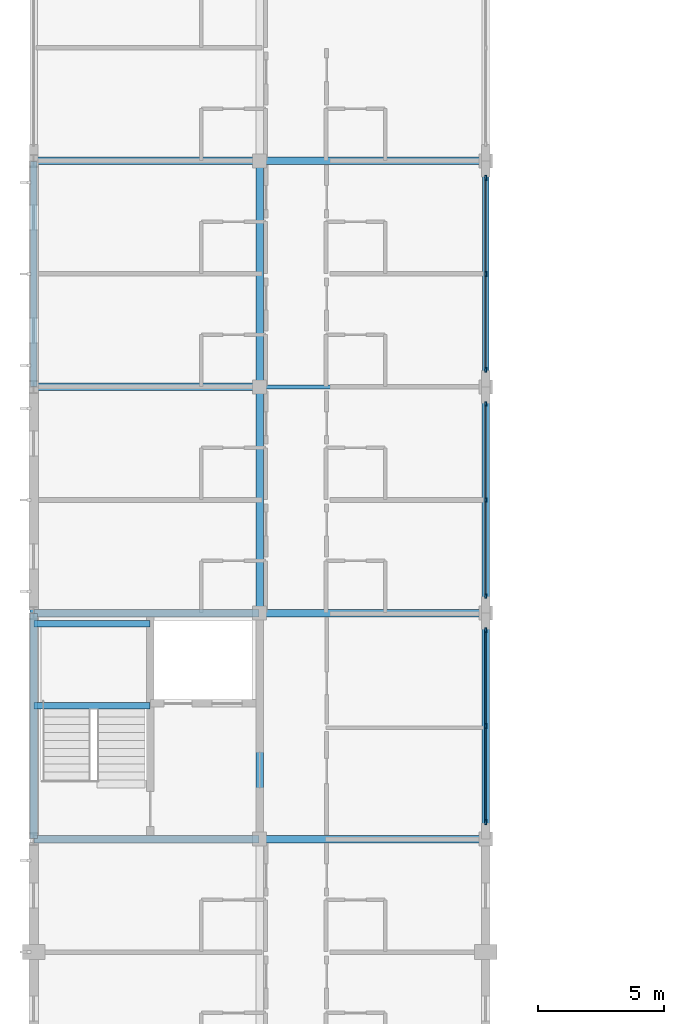
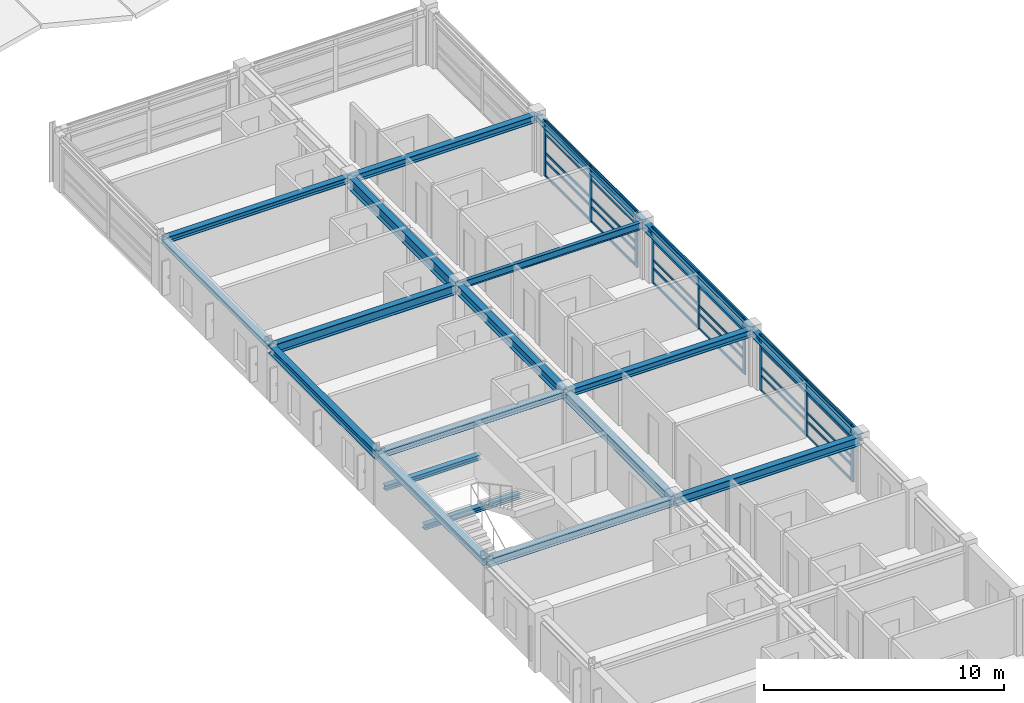
# One storey, part 10 of 37: 39 members, 19 beams, 3 elements without a shape of their own.
"""IFC4 building model written with IfcOpenShell, lengths in metres."""

from ifc_helpers import new_model, si_unit, direction, frame, origin, origin_2d, place, context, subcontext, project, spatial, rectangle, i_section, extrude, material, material_profile, profile_set, type_object, element, aggregate, save


model = new_model("IFC4")

# Units and contexts
model_context = context("Model", 3, precision=1e-05, world=origin(), true_north=direction((0.0, 1.0)))
body_context = subcontext(model_context, "Body", "Model", "MODEL_VIEW")
ifc_project = project(units=[si_unit("LENGTHUNIT", "METRE"), si_unit("AREAUNIT", "SQUARE_METRE"), si_unit("VOLUMEUNIT", "CUBIC_METRE"), si_unit("PLANEANGLEUNIT", "RADIAN"), si_unit("MASSUNIT", "GRAM", prefix="KILO")], contexts=[model_context])

# Site, building, storey
site_placement = place(None, origin())
site = spatial("IfcSite", under=ifc_project, at=site_placement, CompositionType="ELEMENT")
building_placement = place(site_placement, origin())
building = spatial("IfcBuilding", under=site, at=building_placement, Name="Palais des Congres Ocreval", CompositionType="ELEMENT")
storey_placement = place(building_placement, frame((0.0, 0.0, 11.52001953125)))
storey = spatial("IfcBuildingStorey", under=building, at=storey_placement, Name="L03", CompositionType="ELEMENT", Elevation=11.52001953125)

# Beam
ifc_material_1 = material(Name="Steel S355", Category="steel")
ifc_material_profile_1 = material_profile(ifc_material_1, i_section(OverallWidth=0.169921875, OverallDepth=0.360107421875, WebThickness=0.008056640625, FlangeThickness=0.0126953125, at=origin_2d()), Name="IPE 360")
ifc_profile_set_1 = profile_set([ifc_material_profile_1], Name="Steel S355")
beam_type_1 = type_object("IfcBeamType", Name="Composite Beam IPE 360 Steel S355", PredefinedType="BEAM", material=ifc_profile_set_1)
beam_1_placement = place(storey_placement, frame((9.02001953125, 54.0, 2.60009765625), z_axis=(1.0, 0.0, 0.0), x_axis=(0.0, 1.0, 0.0)))
element("IfcBeam", 1, at=beam_1_placement, inside=storey, type_object=beam_type_1, Name="Beam B01 L03", PredefinedType="BEAM", context=body_context, shape_type="SweptSolid", body=[
    extrude(i_section(OverallWidth=0.169921875, OverallDepth=0.360107421875, WebThickness=0.008056640625, FlangeThickness=0.0126953125, at=origin_2d()), origin(), (0.0, 0.0, 1.0), 8.9599609375),
])

# Curtain wall, members
ifc_material_2 = material(Name="Anodized bronze aluminium and low-E glass", Category="glass")
curtain_wall_type = type_object("IfcCurtainWallType", Name="Unitised Curtain Wall 7900x2820", PredefinedType="USERDEFINED", material=ifc_material_2)
curtain_wall_1_placement = place(storey_placement, origin())
curtain_wall_1 = element("IfcCurtainWall", 2, at=curtain_wall_1_placement, inside=storey, type_object=curtain_wall_type, Name="Unitised Curtain Wall CW04 L03", ObjectType="UNITISED CURTAIN WALL", PredefinedType="USERDEFINED")
ifc_material_3 = material(Name="Anodized bronze aluminium", Category="aluminium")
ifc_material_profile_2 = material_profile(ifc_material_3, rectangle(XDim=0.06494140625, YDim=0.179931640625, at=origin_2d()), Name="ALU 65x180")
ifc_profile_set_2 = profile_set([ifc_material_profile_2], Name="Anodized bronze aluminium")
member_type_1 = type_object("IfcMemberType", Name="Curtain Wall Mullion ALU 65x180", PredefinedType="MULLION", material=ifc_profile_set_2)
member_1_placement = place(storey_placement, frame((18.0, 53.3173828125, 0.0), z_axis=(0.0, 0.0, 1.0), x_axis=(1.0, 0.0, 0.0)))
member_1 = element("IfcMember", 3, at=member_1_placement, type_object=member_type_1, Name="Curtain Wall Mullion ML03", PredefinedType="MULLION", context=body_context, shape_type="SweptSolid", body=[
    extrude(rectangle(XDim=0.06494140625, YDim=0.179931640625, at=origin_2d()), origin(), (0.0, 0.0, 1.0), 2.820068359375),
])
member_2_placement = place(storey_placement, frame((18.0, 49.5, 0.0), z_axis=(0.0, 0.0, 1.0), x_axis=(1.0, 0.0, 0.0)))
member_2 = element("IfcMember", 4, at=member_2_placement, type_object=member_type_1, Name="Curtain Wall Mullion ML03", PredefinedType="MULLION", context=body_context, shape_type="SweptSolid", body=[
    extrude(rectangle(XDim=0.06494140625, YDim=0.179931640625, at=origin_2d()), origin(), (0.0, 0.0, 1.0), 2.820068359375),
])
member_3_placement = place(storey_placement, frame((18.0, 45.6826171875, 0.0), z_axis=(0.0, 0.0, 1.0), x_axis=(1.0, 0.0, 0.0)))
member_3 = element("IfcMember", 5, at=member_3_placement, type_object=member_type_1, Name="Curtain Wall Mullion ML03", PredefinedType="MULLION", context=body_context, shape_type="SweptSolid", body=[
    extrude(rectangle(XDim=0.06494140625, YDim=0.179931640625, at=origin_2d()), origin(), (0.0, 0.0, 1.0), 2.820068359375),
])

curtain_wall_2_placement = place(storey_placement, origin())
curtain_wall_2 = element("IfcCurtainWall", 6, at=curtain_wall_2_placement, inside=storey, type_object=curtain_wall_type, Name="Unitised Curtain Wall CW04 L03", ObjectType="UNITISED CURTAIN WALL", PredefinedType="USERDEFINED")
ifc_material_profile_3 = material_profile(ifc_material_3, rectangle(XDim=0.070068359375, YDim=0.2099609375, at=origin_2d()), Name="ALU 70x210")
ifc_profile_set_3 = profile_set([ifc_material_profile_3], Name="Anodized bronze aluminium")
member_type_2 = type_object("IfcMemberType", Name="Curtain Wall Mullion ALU 70x210", PredefinedType="MULLION", material=ifc_profile_set_3)
member_4_placement = place(storey_placement, frame((18.0, 62.31494140625, 0.0), z_axis=(0.0, 0.0, 1.0), x_axis=(1.0, 0.0, 0.0)))
member_4 = element("IfcMember", 7, at=member_4_placement, type_object=member_type_2, Name="Curtain Wall Mullion ML02", PredefinedType="MULLION", context=body_context, shape_type="SweptSolid", body=[
    extrude(rectangle(XDim=0.070068359375, YDim=0.2099609375, at=origin_2d()), origin(), (0.0, 0.0, 1.0), 2.820068359375),
])
member_5_placement = place(storey_placement, frame((18.0, 58.5, 0.0), z_axis=(0.0, 0.0, 1.0), x_axis=(1.0, 0.0, 0.0)))
member_5 = element("IfcMember", 8, at=member_5_placement, type_object=member_type_2, Name="Curtain Wall Mullion ML02", PredefinedType="MULLION", context=body_context, shape_type="SweptSolid", body=[
    extrude(rectangle(XDim=0.070068359375, YDim=0.2099609375, at=origin_2d()), origin(), (0.0, 0.0, 1.0), 2.820068359375),
])
member_6_placement = place(storey_placement, frame((18.0, 54.68505859375, 0.0), z_axis=(0.0, 0.0, 1.0), x_axis=(1.0, 0.0, 0.0)))
member_6 = element("IfcMember", 9, at=member_6_placement, type_object=member_type_2, Name="Curtain Wall Mullion ML02", PredefinedType="MULLION", context=body_context, shape_type="SweptSolid", body=[
    extrude(rectangle(XDim=0.070068359375, YDim=0.2099609375, at=origin_2d()), origin(), (0.0, 0.0, 1.0), 2.820068359375),
])

curtain_wall_3_placement = place(storey_placement, origin())
curtain_wall_3 = element("IfcCurtainWall", 10, at=curtain_wall_3_placement, inside=storey, type_object=curtain_wall_type, Name="Unitised Curtain Wall CW04 L03", ObjectType="UNITISED CURTAIN WALL", PredefinedType="USERDEFINED")
member_7_placement = place(storey_placement, frame((18.0, 44.31494140625, 0.0), z_axis=(0.0, 0.0, 1.0), x_axis=(1.0, 0.0, 0.0)))
member_7 = element("IfcMember", 11, at=member_7_placement, type_object=member_type_2, Name="Curtain Wall Mullion ML02", PredefinedType="MULLION", context=body_context, shape_type="SweptSolid", body=[
    extrude(rectangle(XDim=0.070068359375, YDim=0.2099609375, at=origin_2d()), origin(), (0.0, 0.0, 1.0), 2.820068359375),
])
member_8_placement = place(storey_placement, frame((18.0, 40.5, 0.0), z_axis=(0.0, 0.0, 1.0), x_axis=(1.0, 0.0, 0.0)))
member_8 = element("IfcMember", 12, at=member_8_placement, type_object=member_type_2, Name="Curtain Wall Mullion ML02", PredefinedType="MULLION", context=body_context, shape_type="SweptSolid", body=[
    extrude(rectangle(XDim=0.070068359375, YDim=0.2099609375, at=origin_2d()), origin(), (0.0, 0.0, 1.0), 2.820068359375),
])
member_9_placement = place(storey_placement, frame((18.0, 36.68505859375, 0.0), z_axis=(0.0, 0.0, 1.0), x_axis=(1.0, 0.0, 0.0)))
member_9 = element("IfcMember", 13, at=member_9_placement, type_object=member_type_2, Name="Curtain Wall Mullion ML02", PredefinedType="MULLION", context=body_context, shape_type="SweptSolid", body=[
    extrude(rectangle(XDim=0.070068359375, YDim=0.2099609375, at=origin_2d()), origin(), (0.0, 0.0, 1.0), 2.820068359375),
])

# Member
ifc_material_profile_4 = material_profile(ifc_material_3, rectangle(XDim=0.06005859375, YDim=0.1201171875, at=origin_2d()), Name="ALU 60x120")
ifc_profile_set_4 = profile_set([ifc_material_profile_4], Name="Anodized bronze aluminium")
member_type_3 = type_object("IfcMemberType", Name="Curtain Wall Transom ALU 60x120", PredefinedType="USERDEFINED", material=ifc_profile_set_4)
member_10_placement = place(storey_placement, frame((18.0, 62.280029296875, 0.030029296875), z_axis=(0.0, -1.0, 0.0), x_axis=(1.0, 0.0, 0.0)))
member_10 = element("IfcMember", 14, at=member_10_placement, type_object=member_type_3, Name="Curtain Wall Transom TR02", ObjectType="TRANSOM", PredefinedType="USERDEFINED", context=body_context, shape_type="SweptSolid", body=[
    extrude(rectangle(XDim=0.06005859375, YDim=0.1201171875, at=origin_2d()), origin(), (0.0, 0.0, 1.0), 3.7451171875),
])

member_11_placement = place(storey_placement, frame((18.0, 62.280029296875, 0.780029296875), z_axis=(0.0, -1.0, 0.0), x_axis=(1.0, 0.0, 0.0)))
member_11 = element("IfcMember", 15, at=member_11_placement, type_object=member_type_3, Name="Curtain Wall Transom TR02", ObjectType="TRANSOM", PredefinedType="USERDEFINED", context=body_context, shape_type="SweptSolid", body=[
    extrude(rectangle(XDim=0.06005859375, YDim=0.1201171875, at=origin_2d()), origin(), (0.0, 0.0, 1.0), 3.7451171875),
])

member_12_placement = place(storey_placement, frame((18.0, 62.280029296875, 1.193359375), z_axis=(0.0, -1.0, 0.0), x_axis=(1.0, 0.0, 0.0)))
member_12 = element("IfcMember", 16, at=member_12_placement, type_object=member_type_3, Name="Curtain Wall Transom TR02", ObjectType="TRANSOM", PredefinedType="USERDEFINED", context=body_context, shape_type="SweptSolid", body=[
    extrude(rectangle(XDim=0.06005859375, YDim=0.1201171875, at=origin_2d()), origin(), (0.0, 0.0, 1.0), 3.7451171875),
])

member_13_placement = place(storey_placement, frame((18.0, 62.280029296875, 2.169921875), z_axis=(0.0, -1.0, 0.0), x_axis=(1.0, 0.0, 0.0)))
member_13 = element("IfcMember", 17, at=member_13_placement, type_object=member_type_3, Name="Curtain Wall Transom TR02", ObjectType="TRANSOM", PredefinedType="USERDEFINED", context=body_context, shape_type="SweptSolid", body=[
    extrude(rectangle(XDim=0.06005859375, YDim=0.1201171875, at=origin_2d()), origin(), (0.0, 0.0, 1.0), 3.7451171875),
])

member_14_placement = place(storey_placement, frame((18.0, 62.280029296875, 2.7900390625), z_axis=(0.0, -1.0, 0.0), x_axis=(1.0, 0.0, 0.0)))
member_14 = element("IfcMember", 18, at=member_14_placement, type_object=member_type_3, Name="Curtain Wall Transom TR02", ObjectType="TRANSOM", PredefinedType="USERDEFINED", context=body_context, shape_type="SweptSolid", body=[
    extrude(rectangle(XDim=0.06005859375, YDim=0.1201171875, at=origin_2d()), origin(), (0.0, 0.0, 1.0), 3.7451171875),
])

member_15_placement = place(storey_placement, frame((18.0, 58.465087890625, 0.030029296875), z_axis=(0.0, -1.0, 0.0), x_axis=(1.0, 0.0, 0.0)))
member_15 = element("IfcMember", 19, at=member_15_placement, type_object=member_type_3, Name="Curtain Wall Transom TR02", ObjectType="TRANSOM", PredefinedType="USERDEFINED", context=body_context, shape_type="SweptSolid", body=[
    extrude(rectangle(XDim=0.06005859375, YDim=0.1201171875, at=origin_2d()), origin(), (0.0, 0.0, 1.0), 3.7451171875),
])

member_16_placement = place(storey_placement, frame((18.0, 58.465087890625, 0.780029296875), z_axis=(0.0, -1.0, 0.0), x_axis=(1.0, 0.0, 0.0)))
member_16 = element("IfcMember", 20, at=member_16_placement, type_object=member_type_3, Name="Curtain Wall Transom TR02", ObjectType="TRANSOM", PredefinedType="USERDEFINED", context=body_context, shape_type="SweptSolid", body=[
    extrude(rectangle(XDim=0.06005859375, YDim=0.1201171875, at=origin_2d()), origin(), (0.0, 0.0, 1.0), 3.7451171875),
])

member_17_placement = place(storey_placement, frame((18.0, 58.465087890625, 1.193359375), z_axis=(0.0, -1.0, 0.0), x_axis=(1.0, 0.0, 0.0)))
member_17 = element("IfcMember", 21, at=member_17_placement, type_object=member_type_3, Name="Curtain Wall Transom TR02", ObjectType="TRANSOM", PredefinedType="USERDEFINED", context=body_context, shape_type="SweptSolid", body=[
    extrude(rectangle(XDim=0.06005859375, YDim=0.1201171875, at=origin_2d()), origin(), (0.0, 0.0, 1.0), 3.7451171875),
])

member_18_placement = place(storey_placement, frame((18.0, 58.465087890625, 2.169921875), z_axis=(0.0, -1.0, 0.0), x_axis=(1.0, 0.0, 0.0)))
member_18 = element("IfcMember", 22, at=member_18_placement, type_object=member_type_3, Name="Curtain Wall Transom TR02", ObjectType="TRANSOM", PredefinedType="USERDEFINED", context=body_context, shape_type="SweptSolid", body=[
    extrude(rectangle(XDim=0.06005859375, YDim=0.1201171875, at=origin_2d()), origin(), (0.0, 0.0, 1.0), 3.7451171875),
])

member_19_placement = place(storey_placement, frame((18.0, 58.465087890625, 2.7900390625), z_axis=(0.0, -1.0, 0.0), x_axis=(1.0, 0.0, 0.0)))
member_19 = element("IfcMember", 23, at=member_19_placement, type_object=member_type_3, Name="Curtain Wall Transom TR02", ObjectType="TRANSOM", PredefinedType="USERDEFINED", context=body_context, shape_type="SweptSolid", body=[
    extrude(rectangle(XDim=0.06005859375, YDim=0.1201171875, at=origin_2d()), origin(), (0.0, 0.0, 1.0), 3.7451171875),
])

aggregate(curtain_wall_2, [member_4, member_5, member_6, member_10, member_11, member_12, member_13, member_14, member_15, member_16, member_17, member_18, member_19])

member_20_placement = place(storey_placement, frame((18.0, 53.284912109375, 0.030029296875), z_axis=(0.0, -1.0, 0.0), x_axis=(1.0, 0.0, 0.0)))
member_20 = element("IfcMember", 24, at=member_20_placement, type_object=member_type_3, Name="Curtain Wall Transom TR02", ObjectType="TRANSOM", PredefinedType="USERDEFINED", context=body_context, shape_type="SweptSolid", body=[
    extrude(rectangle(XDim=0.06005859375, YDim=0.1201171875, at=origin_2d()), origin(), (0.0, 0.0, 1.0), 3.75244140625),
])

member_21_placement = place(storey_placement, frame((18.0, 53.284912109375, 0.780029296875), z_axis=(0.0, -1.0, 0.0), x_axis=(1.0, 0.0, 0.0)))
member_21 = element("IfcMember", 25, at=member_21_placement, type_object=member_type_3, Name="Curtain Wall Transom TR02", ObjectType="TRANSOM", PredefinedType="USERDEFINED", context=body_context, shape_type="SweptSolid", body=[
    extrude(rectangle(XDim=0.06005859375, YDim=0.1201171875, at=origin_2d()), origin(), (0.0, 0.0, 1.0), 3.75244140625),
])

member_22_placement = place(storey_placement, frame((18.0, 53.284912109375, 1.193359375), z_axis=(0.0, -1.0, 0.0), x_axis=(1.0, 0.0, 0.0)))
member_22 = element("IfcMember", 26, at=member_22_placement, type_object=member_type_3, Name="Curtain Wall Transom TR02", ObjectType="TRANSOM", PredefinedType="USERDEFINED", context=body_context, shape_type="SweptSolid", body=[
    extrude(rectangle(XDim=0.06005859375, YDim=0.1201171875, at=origin_2d()), origin(), (0.0, 0.0, 1.0), 3.75244140625),
])

member_23_placement = place(storey_placement, frame((18.0, 53.284912109375, 2.169921875), z_axis=(0.0, -1.0, 0.0), x_axis=(1.0, 0.0, 0.0)))
member_23 = element("IfcMember", 27, at=member_23_placement, type_object=member_type_3, Name="Curtain Wall Transom TR02", ObjectType="TRANSOM", PredefinedType="USERDEFINED", context=body_context, shape_type="SweptSolid", body=[
    extrude(rectangle(XDim=0.06005859375, YDim=0.1201171875, at=origin_2d()), origin(), (0.0, 0.0, 1.0), 3.75244140625),
])

member_24_placement = place(storey_placement, frame((18.0, 53.284912109375, 2.7900390625), z_axis=(0.0, -1.0, 0.0), x_axis=(1.0, 0.0, 0.0)))
member_24 = element("IfcMember", 28, at=member_24_placement, type_object=member_type_3, Name="Curtain Wall Transom TR02", ObjectType="TRANSOM", PredefinedType="USERDEFINED", context=body_context, shape_type="SweptSolid", body=[
    extrude(rectangle(XDim=0.06005859375, YDim=0.1201171875, at=origin_2d()), origin(), (0.0, 0.0, 1.0), 3.75244140625),
])

member_25_placement = place(storey_placement, frame((18.0, 49.467529296875, 0.030029296875), z_axis=(0.0, -1.0, 0.0), x_axis=(1.0, 0.0, 0.0)))
member_25 = element("IfcMember", 29, at=member_25_placement, type_object=member_type_3, Name="Curtain Wall Transom TR02", ObjectType="TRANSOM", PredefinedType="USERDEFINED", context=body_context, shape_type="SweptSolid", body=[
    extrude(rectangle(XDim=0.06005859375, YDim=0.1201171875, at=origin_2d()), origin(), (0.0, 0.0, 1.0), 3.75244140625),
])

member_26_placement = place(storey_placement, frame((18.0, 49.467529296875, 0.780029296875), z_axis=(0.0, -1.0, 0.0), x_axis=(1.0, 0.0, 0.0)))
member_26 = element("IfcMember", 30, at=member_26_placement, type_object=member_type_3, Name="Curtain Wall Transom TR02", ObjectType="TRANSOM", PredefinedType="USERDEFINED", context=body_context, shape_type="SweptSolid", body=[
    extrude(rectangle(XDim=0.06005859375, YDim=0.1201171875, at=origin_2d()), origin(), (0.0, 0.0, 1.0), 3.75244140625),
])

member_27_placement = place(storey_placement, frame((18.0, 49.467529296875, 1.193359375), z_axis=(0.0, -1.0, 0.0), x_axis=(1.0, 0.0, 0.0)))
member_27 = element("IfcMember", 31, at=member_27_placement, type_object=member_type_3, Name="Curtain Wall Transom TR02", ObjectType="TRANSOM", PredefinedType="USERDEFINED", context=body_context, shape_type="SweptSolid", body=[
    extrude(rectangle(XDim=0.06005859375, YDim=0.1201171875, at=origin_2d()), origin(), (0.0, 0.0, 1.0), 3.75244140625),
])

member_28_placement = place(storey_placement, frame((18.0, 49.467529296875, 2.169921875), z_axis=(0.0, -1.0, 0.0), x_axis=(1.0, 0.0, 0.0)))
member_28 = element("IfcMember", 32, at=member_28_placement, type_object=member_type_3, Name="Curtain Wall Transom TR02", ObjectType="TRANSOM", PredefinedType="USERDEFINED", context=body_context, shape_type="SweptSolid", body=[
    extrude(rectangle(XDim=0.06005859375, YDim=0.1201171875, at=origin_2d()), origin(), (0.0, 0.0, 1.0), 3.75244140625),
])

member_29_placement = place(storey_placement, frame((18.0, 49.467529296875, 2.7900390625), z_axis=(0.0, -1.0, 0.0), x_axis=(1.0, 0.0, 0.0)))
member_29 = element("IfcMember", 33, at=member_29_placement, type_object=member_type_3, Name="Curtain Wall Transom TR02", ObjectType="TRANSOM", PredefinedType="USERDEFINED", context=body_context, shape_type="SweptSolid", body=[
    extrude(rectangle(XDim=0.06005859375, YDim=0.1201171875, at=origin_2d()), origin(), (0.0, 0.0, 1.0), 3.75244140625),
])

aggregate(curtain_wall_1, [member_1, member_2, member_3, member_20, member_21, member_22, member_23, member_24, member_25, member_26, member_27, member_28, member_29])

member_30_placement = place(storey_placement, frame((18.0, 44.280029296875, 0.030029296875), z_axis=(0.0, -1.0, 0.0), x_axis=(1.0, 0.0, 0.0)))
member_30 = element("IfcMember", 34, at=member_30_placement, type_object=member_type_3, Name="Curtain Wall Transom TR02", ObjectType="TRANSOM", PredefinedType="USERDEFINED", context=body_context, shape_type="SweptSolid", body=[
    extrude(rectangle(XDim=0.06005859375, YDim=0.1201171875, at=origin_2d()), origin(), (0.0, 0.0, 1.0), 3.7451171875),
])

member_31_placement = place(storey_placement, frame((18.0, 44.280029296875, 0.780029296875), z_axis=(0.0, -1.0, 0.0), x_axis=(1.0, 0.0, 0.0)))
member_31 = element("IfcMember", 35, at=member_31_placement, type_object=member_type_3, Name="Curtain Wall Transom TR02", ObjectType="TRANSOM", PredefinedType="USERDEFINED", context=body_context, shape_type="SweptSolid", body=[
    extrude(rectangle(XDim=0.06005859375, YDim=0.1201171875, at=origin_2d()), origin(), (0.0, 0.0, 1.0), 3.7451171875),
])

member_32_placement = place(storey_placement, frame((18.0, 44.280029296875, 1.193359375), z_axis=(0.0, -1.0, 0.0), x_axis=(1.0, 0.0, 0.0)))
member_32 = element("IfcMember", 36, at=member_32_placement, type_object=member_type_3, Name="Curtain Wall Transom TR02", ObjectType="TRANSOM", PredefinedType="USERDEFINED", context=body_context, shape_type="SweptSolid", body=[
    extrude(rectangle(XDim=0.06005859375, YDim=0.1201171875, at=origin_2d()), origin(), (0.0, 0.0, 1.0), 3.7451171875),
])

member_33_placement = place(storey_placement, frame((18.0, 44.280029296875, 2.169921875), z_axis=(0.0, -1.0, 0.0), x_axis=(1.0, 0.0, 0.0)))
member_33 = element("IfcMember", 37, at=member_33_placement, type_object=member_type_3, Name="Curtain Wall Transom TR02", ObjectType="TRANSOM", PredefinedType="USERDEFINED", context=body_context, shape_type="SweptSolid", body=[
    extrude(rectangle(XDim=0.06005859375, YDim=0.1201171875, at=origin_2d()), origin(), (0.0, 0.0, 1.0), 3.7451171875),
])

member_34_placement = place(storey_placement, frame((18.0, 44.280029296875, 2.7900390625), z_axis=(0.0, -1.0, 0.0), x_axis=(1.0, 0.0, 0.0)))
member_34 = element("IfcMember", 38, at=member_34_placement, type_object=member_type_3, Name="Curtain Wall Transom TR02", ObjectType="TRANSOM", PredefinedType="USERDEFINED", context=body_context, shape_type="SweptSolid", body=[
    extrude(rectangle(XDim=0.06005859375, YDim=0.1201171875, at=origin_2d()), origin(), (0.0, 0.0, 1.0), 3.7451171875),
])

member_35_placement = place(storey_placement, frame((18.0, 40.465087890625, 0.030029296875), z_axis=(0.0, -1.0, 0.0), x_axis=(1.0, 0.0, 0.0)))
member_35 = element("IfcMember", 39, at=member_35_placement, type_object=member_type_3, Name="Curtain Wall Transom TR02", ObjectType="TRANSOM", PredefinedType="USERDEFINED", context=body_context, shape_type="SweptSolid", body=[
    extrude(rectangle(XDim=0.06005859375, YDim=0.1201171875, at=origin_2d()), origin(), (0.0, 0.0, 1.0), 3.7451171875),
])

member_36_placement = place(storey_placement, frame((18.0, 40.465087890625, 0.780029296875), z_axis=(0.0, -1.0, 0.0), x_axis=(1.0, 0.0, 0.0)))
member_36 = element("IfcMember", 40, at=member_36_placement, type_object=member_type_3, Name="Curtain Wall Transom TR02", ObjectType="TRANSOM", PredefinedType="USERDEFINED", context=body_context, shape_type="SweptSolid", body=[
    extrude(rectangle(XDim=0.06005859375, YDim=0.1201171875, at=origin_2d()), origin(), (0.0, 0.0, 1.0), 3.7451171875),
])

member_37_placement = place(storey_placement, frame((18.0, 40.465087890625, 1.193359375), z_axis=(0.0, -1.0, 0.0), x_axis=(1.0, 0.0, 0.0)))
member_37 = element("IfcMember", 41, at=member_37_placement, type_object=member_type_3, Name="Curtain Wall Transom TR02", ObjectType="TRANSOM", PredefinedType="USERDEFINED", context=body_context, shape_type="SweptSolid", body=[
    extrude(rectangle(XDim=0.06005859375, YDim=0.1201171875, at=origin_2d()), origin(), (0.0, 0.0, 1.0), 3.7451171875),
])

member_38_placement = place(storey_placement, frame((18.0, 40.465087890625, 2.169921875), z_axis=(0.0, -1.0, 0.0), x_axis=(1.0, 0.0, 0.0)))
member_38 = element("IfcMember", 42, at=member_38_placement, type_object=member_type_3, Name="Curtain Wall Transom TR02", ObjectType="TRANSOM", PredefinedType="USERDEFINED", context=body_context, shape_type="SweptSolid", body=[
    extrude(rectangle(XDim=0.06005859375, YDim=0.1201171875, at=origin_2d()), origin(), (0.0, 0.0, 1.0), 3.7451171875),
])

member_39_placement = place(storey_placement, frame((18.0, 40.465087890625, 2.7900390625), z_axis=(0.0, -1.0, 0.0), x_axis=(1.0, 0.0, 0.0)))
member_39 = element("IfcMember", 43, at=member_39_placement, type_object=member_type_3, Name="Curtain Wall Transom TR02", ObjectType="TRANSOM", PredefinedType="USERDEFINED", context=body_context, shape_type="SweptSolid", body=[
    extrude(rectangle(XDim=0.06005859375, YDim=0.1201171875, at=origin_2d()), origin(), (0.0, 0.0, 1.0), 3.7451171875),
])

aggregate(curtain_wall_3, [member_7, member_8, member_9, member_30, member_31, member_32, member_33, member_34, member_35, member_36, member_37, member_38, member_39])

# Beams
ifc_material_profile_5 = material_profile(ifc_material_1, i_section(OverallWidth=0.260009765625, OverallDepth=0.260009765625, WebThickness=0.010009765625, FlangeThickness=0.017578125, at=origin_2d()), Name="HEB 260")
ifc_profile_set_5 = profile_set([ifc_material_profile_5], Name="Steel S355")
beam_type_2 = type_object("IfcBeamType", Name="Opening Lintel HEB 260 Steel S355", PredefinedType="LINTEL", material=ifc_profile_set_5)
for number, where, z_axis, x_axis, name in (
    (44, (0.0, 54.02001953125, 2.64990234375), (0.0, 1.0, 0.0), (-1.0, 0.0, 0.0), "Girder LN01 L03"),
    (45, (18.0, 54.02001953125, 2.64990234375), (0.0, 1.0, 0.0), (-1.0, 0.0, 0.0), "Girder LN01 L03"),
):
    element("IfcBeam", number, at=place(storey_placement, frame(where, z_axis=z_axis, x_axis=x_axis)), inside=storey, type_object=beam_type_2, Name=name, PredefinedType="LINTEL", context=body_context, shape_type="SweptSolid", body=[
        extrude(i_section(OverallWidth=0.260009765625, OverallDepth=0.260009765625, WebThickness=0.010009765625, FlangeThickness=0.017578125, at=origin_2d()), origin(), (0.0, 0.0, 1.0), 8.9599609375),
    ])
for number, where, z_axis, x_axis, name in (
    (46, (0.02001953125, 41.304931640625, 1.18994140625), (1.0, 0.0, 0.0), (0.0, 1.0, 0.0), "Stair Landing Support Beam ST03 L03-1"),
    (47, (0.02001953125, 44.580078125, 1.18994140625), (1.0, 0.0, 0.0), (0.0, 1.0, 0.0), "Stair Landing Support Beam ST03 L03-2"),
):
    element("IfcBeam", number, at=place(storey_placement, frame(where, z_axis=z_axis, x_axis=x_axis)), inside=storey, type_object=beam_type_2, Name=name, PredefinedType="LINTEL", context=body_context, shape_type="SweptSolid", body=[
        extrude(i_section(OverallWidth=0.260009765625, OverallDepth=0.260009765625, WebThickness=0.010009765625, FlangeThickness=0.017578125, at=origin_2d()), origin(), (0.0, 0.0, 1.0), 4.60986328125),
    ])
ifc_material_profile_6 = material_profile(ifc_material_1, i_section(OverallWidth=0.300048828125, OverallDepth=0.300048828125, WebThickness=0.010986328125, FlangeThickness=0.01904296875, at=origin_2d()), Name="HEB 300")
ifc_profile_set_6 = profile_set([ifc_material_profile_6], Name="Steel S355")
beam_type_3 = type_object("IfcBeamType", Name="Perimeter Spandrel HEB 300 Steel S355", PredefinedType="SPANDREL", material=ifc_profile_set_6)
for number, where, z_axis, x_axis, name in (
    (48, (0.02001953125, 45.0, 2.6298828125), (1.0, 0.0, 0.0), (0.0, 1.0, 0.0), "Beam SP02 L03"),
    (49, (0.02001953125, 63.0, 2.6298828125), (1.0, 0.0, 0.0), (0.0, 1.0, 0.0), "Beam SP02 L03"),
):
    element("IfcBeam", number, at=place(storey_placement, frame(where, z_axis=z_axis, x_axis=x_axis)), inside=storey, type_object=beam_type_3, Name=name, PredefinedType="SPANDREL", context=body_context, shape_type="SweptSolid", body=[
        extrude(i_section(OverallWidth=0.300048828125, OverallDepth=0.300048828125, WebThickness=0.010986328125, FlangeThickness=0.01904296875, at=origin_2d()), origin(), (0.0, 0.0, 1.0), 8.9599609375),
    ])
ifc_material_profile_7 = material_profile(ifc_material_1, i_section(OverallWidth=0.300048828125, OverallDepth=0.360107421875, WebThickness=0.012451171875, FlangeThickness=0.0224609375, at=origin_2d()), Name="HEB 360")
ifc_profile_set_7 = profile_set([ifc_material_profile_7], Name="Steel S355")
beam_type_4 = type_object("IfcBeamType", Name="Perimeter Spandrel HEB 360 Steel S355", PredefinedType="SPANDREL", material=ifc_profile_set_7)
for number, where, z_axis, x_axis, name in (
    (50, (0.0, 36.02001953125, 2.60009765625), (0.0, 1.0, 0.0), (-1.0, 0.0, 0.0), "Girder SP03 L03"),
    (51, (9.02001953125, 45.0, 2.60009765625), (1.0, 0.0, 0.0), (0.0, 1.0, 0.0), "Beam SP03 L03"),
    (52, (9.02001953125, 63.0, 2.60009765625), (1.0, 0.0, 0.0), (0.0, 1.0, 0.0), "Beam SP03 L03"),
    (53, (18.0, 36.02001953125, 2.60009765625), (0.0, 1.0, 0.0), (-1.0, 0.0, 0.0), "Girder SP03 L03"),
):
    element("IfcBeam", number, at=place(storey_placement, frame(where, z_axis=z_axis, x_axis=x_axis)), inside=storey, type_object=beam_type_4, Name=name, PredefinedType="SPANDREL", context=body_context, shape_type="SweptSolid", body=[
        extrude(i_section(OverallWidth=0.300048828125, OverallDepth=0.360107421875, WebThickness=0.012451171875, FlangeThickness=0.0224609375, at=origin_2d()), origin(), (0.0, 0.0, 1.0), 8.9599609375),
    ])
ifc_material_profile_8 = material_profile(ifc_material_1, i_section(OverallWidth=0.300048828125, OverallDepth=0.39990234375, WebThickness=0.013427734375, FlangeThickness=0.02392578125, at=origin_2d()), Name="HEB 400")
ifc_profile_set_8 = profile_set([ifc_material_profile_8], Name="Steel S355")
beam_type_5 = type_object("IfcBeamType", Name="Perimeter Spandrel HEB 400 Steel S355", PredefinedType="SPANDREL", material=ifc_profile_set_8)
for number, where, z_axis, x_axis, name in (
    (54, (0.0, 45.02001953125, 2.580078125), (0.0, 1.0, 0.0), (-1.0, 0.0, 0.0), "Girder SP04 L03"),
    (55, (18.0, 45.02001953125, 2.580078125), (0.0, 1.0, 0.0), (-1.0, 0.0, 0.0), "Girder SP04 L03"),
):
    element("IfcBeam", number, at=place(storey_placement, frame(where, z_axis=z_axis, x_axis=x_axis)), inside=storey, type_object=beam_type_5, Name=name, PredefinedType="SPANDREL", context=body_context, shape_type="SweptSolid", body=[
        extrude(i_section(OverallWidth=0.300048828125, OverallDepth=0.39990234375, WebThickness=0.013427734375, FlangeThickness=0.02392578125, at=origin_2d()), origin(), (0.0, 0.0, 1.0), 8.9599609375),
    ])
ifc_material_profile_9 = material_profile(ifc_material_1, i_section(OverallWidth=0.300048828125, OverallDepth=0.389892578125, WebThickness=0.010986328125, FlangeThickness=0.01904296875, at=origin_2d()), Name="HEA 400")
ifc_profile_set_9 = profile_set([ifc_material_profile_9], Name="Steel S355")
beam_type_6 = type_object("IfcBeamType", Name="Primary Beam HEA 400 Steel S355", PredefinedType="BEAM", material=ifc_profile_set_9)
beam_2_placement = place(storey_placement, frame((0.02001953125, 36.0, 2.5849609375), z_axis=(1.0, 0.0, 0.0), x_axis=(0.0, 1.0, 0.0)))
element("IfcBeam", 56, at=beam_2_placement, inside=storey, type_object=beam_type_6, Name="Beam B10 L03", PredefinedType="BEAM", context=body_context, shape_type="SweptSolid", body=[
    extrude(i_section(OverallWidth=0.300048828125, OverallDepth=0.389892578125, WebThickness=0.010986328125, FlangeThickness=0.01904296875, at=origin_2d()), origin(), (0.0, 0.0, 1.0), 8.9599609375),
])
ifc_material_profile_10 = material_profile(ifc_material_1, i_section(OverallWidth=0.300048828125, OverallDepth=0.43994140625, WebThickness=0.011474609375, FlangeThickness=0.02099609375, at=origin_2d()), Name="HEA 450")
ifc_profile_set_10 = profile_set([ifc_material_profile_10], Name="Steel S355")
beam_type_7 = type_object("IfcBeamType", Name="Primary Beam HEA 450 Steel S355", PredefinedType="BEAM", material=ifc_profile_set_10)
for number, where, z_axis, x_axis, name in (
    (57, (9.02001953125, 36.0, 2.56005859375), (1.0, 0.0, 0.0), (0.0, 1.0, 0.0), "Beam B11 L03"),
    (58, (9.0, 36.02001953125, 2.56005859375), (0.0, 1.0, 0.0), (-1.0, 0.0, 0.0), "Girder B11 L03"),
):
    element("IfcBeam", number, at=place(storey_placement, frame(where, z_axis=z_axis, x_axis=x_axis)), inside=storey, type_object=beam_type_7, Name=name, PredefinedType="BEAM", context=body_context, shape_type="SweptSolid", body=[
        extrude(i_section(OverallWidth=0.300048828125, OverallDepth=0.43994140625, WebThickness=0.011474609375, FlangeThickness=0.02099609375, at=origin_2d()), origin(), (0.0, 0.0, 1.0), 8.9599609375),
    ])
ifc_material_profile_11 = material_profile(ifc_material_1, i_section(OverallWidth=0.300048828125, OverallDepth=0.489990234375, WebThickness=0.011962890625, FlangeThickness=0.02294921875, at=origin_2d()), Name="HEA 500")
ifc_profile_set_11 = profile_set([ifc_material_profile_11], Name="Steel S355")
beam_type_8 = type_object("IfcBeamType", Name="Primary Beam HEA 500 Steel S355", PredefinedType="BEAM", material=ifc_profile_set_11)
for number, where, z_axis, x_axis, name in (
    (59, (0.02001953125, 54.0, 2.534912109375), (1.0, 0.0, 0.0), (0.0, 1.0, 0.0), "Beam B12 L03"),
    (60, (9.0, 45.02001953125, 2.534912109375), (0.0, 1.0, 0.0), (-1.0, 0.0, 0.0), "Girder B12 L03"),
):
    element("IfcBeam", number, at=place(storey_placement, frame(where, z_axis=z_axis, x_axis=x_axis)), inside=storey, type_object=beam_type_8, Name=name, PredefinedType="BEAM", context=body_context, shape_type="SweptSolid", body=[
        extrude(i_section(OverallWidth=0.300048828125, OverallDepth=0.489990234375, WebThickness=0.011962890625, FlangeThickness=0.02294921875, at=origin_2d()), origin(), (0.0, 0.0, 1.0), 8.9599609375),
    ])
ifc_material_profile_12 = material_profile(ifc_material_1, i_section(OverallWidth=0.300048828125, OverallDepth=0.590087890625, WebThickness=0.012939453125, FlangeThickness=0.02490234375, at=origin_2d()), Name="HEA 600")
ifc_profile_set_12 = profile_set([ifc_material_profile_12], Name="Steel S355")
beam_type_9 = type_object("IfcBeamType", Name="Primary Girder HEA 600 Steel S355", PredefinedType="BEAM", material=ifc_profile_set_12)
beam_3_placement = place(storey_placement, frame((9.0, 54.02001953125, 2.48486328125), z_axis=(0.0, 1.0, 0.0), x_axis=(-1.0, 0.0, 0.0)))
element("IfcBeam", 61, at=beam_3_placement, inside=storey, type_object=beam_type_9, Name="Girder B13 L03", PredefinedType="BEAM", context=body_context, shape_type="SweptSolid", body=[
    extrude(i_section(OverallWidth=0.300048828125, OverallDepth=0.590087890625, WebThickness=0.012939453125, FlangeThickness=0.02490234375, at=origin_2d()), origin(), (0.0, 0.0, 1.0), 8.9599609375),
])

save(model, "model.ifc")
